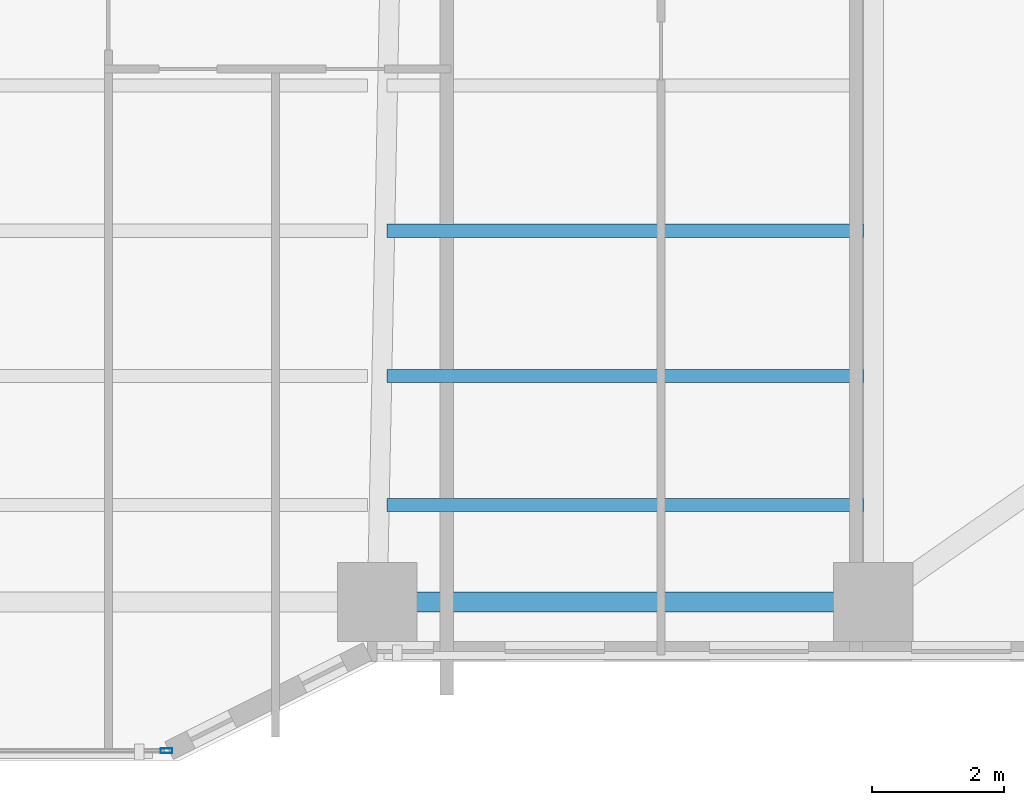
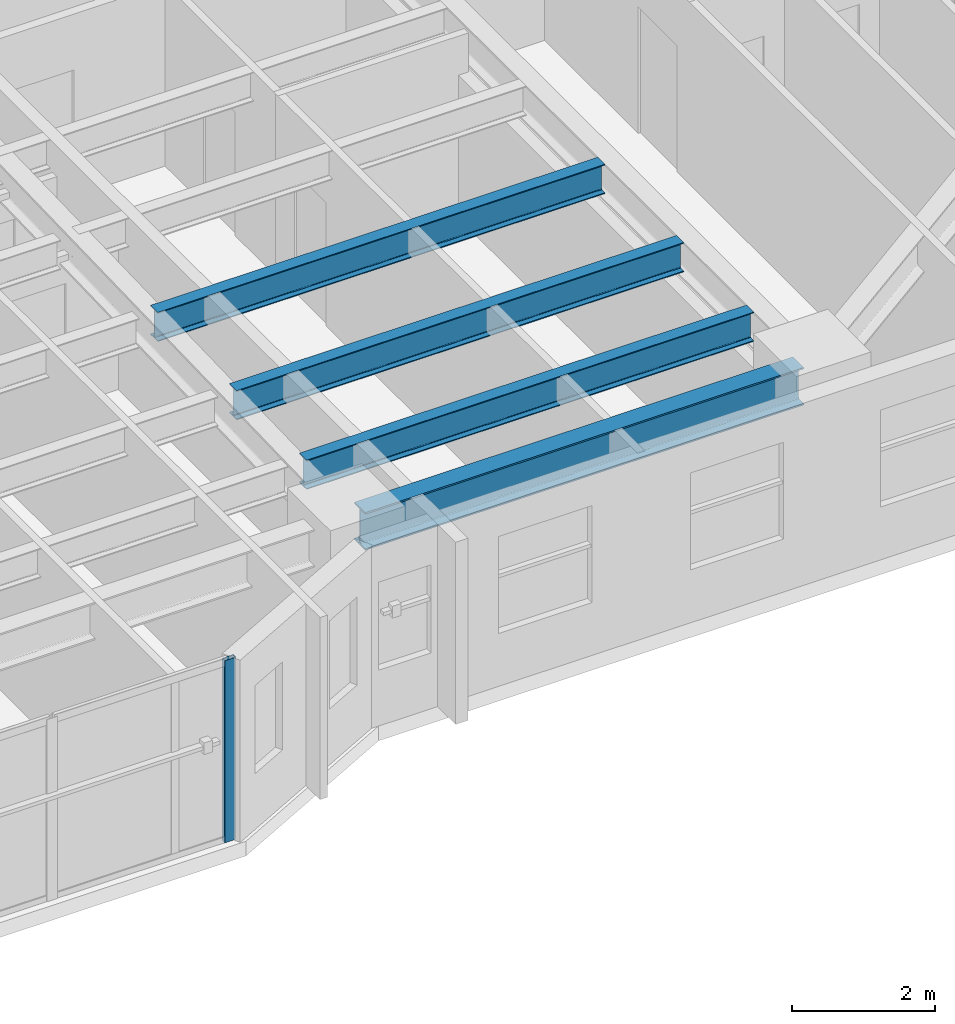
# One storey, part 4 of 22: 4 beams, 1 member, 1 element without a shape of its own.
"""IFC4 building model written with IfcOpenShell, lengths in metres."""

from ifc_helpers import new_model, si_unit, direction, frame, origin, origin_2d, place, context, subcontext, project, spatial, hollow_rectangle, i_section, extrude, material, layer, layer_set, material_profile, profile_set, type_object, element, aggregate, save


model = new_model("IFC4")

# Units and contexts
model_context = context("Model", 3, precision=1e-05, world=origin(), true_north=direction((0.0, 1.0)))
body_context = subcontext(model_context, "Body", "Model", "MODEL_VIEW")
ifc_project = project(units=[si_unit("LENGTHUNIT", "METRE"), si_unit("AREAUNIT", "SQUARE_METRE"), si_unit("VOLUMEUNIT", "CUBIC_METRE"), si_unit("PLANEANGLEUNIT", "RADIAN"), si_unit("MASSUNIT", "GRAM", prefix="KILO")], contexts=[model_context])

# Site, building, storey
site_placement = place(None, origin())
site = spatial("IfcSite", under=ifc_project, at=site_placement, CompositionType="ELEMENT")
building_placement = place(site_placement, origin())
building = spatial("IfcBuilding", under=site, at=building_placement, Name="Tarnavaz Court Tower", CompositionType="ELEMENT")
storey_placement = place(building_placement, frame((0.0, 0.0, 57.5)))
storey = spatial("IfcBuildingStorey", under=building, at=storey_placement, Name="L15", CompositionType="ELEMENT", Elevation=57.5)

# Beams
ifc_material_1 = material(Name="Steel S355", Category="steel")
ifc_material_profile_1 = material_profile(ifc_material_1, i_section(OverallWidth=0.199951171875, OverallDepth=0.5, WebThickness=0.01025390625, FlangeThickness=0.01611328125, FilletRadius=0.02099609375, at=origin_2d()), Name="IPE 500")
ifc_profile_set_1 = profile_set([ifc_material_profile_1], Name="Steel S355")
beam_type_1 = type_object("IfcBeamType", Name="BM-J-IPE500", PredefinedType="JOIST", material=ifc_profile_set_1)
for number, where, z_axis, x_axis, name in (
    (1, (7.64990234375, -17.18798828125, 2.85009765625), (1.0, 0.0, 0.0), (0.0, 1.0, 0.0), "L15 Beam JS3-3"),
    (2, (7.64990234375, -19.384033203125, 2.85009765625), (1.0, 0.0, 0.0), (0.0, 1.0, 0.0), "L15 Beam JS4-3"),
    (3, (7.64990234375, -21.3359375, 2.85009765625), (1.0, 0.0, 0.0), (0.0, 1.0, 0.0), "L15 Beam JS5-3"),
):
    element("IfcBeam", number, at=place(storey_placement, frame(where, z_axis=z_axis, x_axis=x_axis)), inside=storey, type_object=beam_type_1, Name=name, PredefinedType="JOIST", context=body_context, shape_type="SweptSolid", body=[
        extrude(i_section(OverallWidth=0.199951171875, OverallDepth=0.5, WebThickness=0.01025390625, FlangeThickness=0.01611328125, FilletRadius=0.02099609375, at=origin_2d()), origin(), (0.0, 0.0, 1.0), 7.2001953125),
    ])
ifc_material_profile_2 = material_profile(ifc_material_1, i_section(OverallWidth=0.300048828125, OverallDepth=0.639892578125, WebThickness=0.013427734375, FlangeThickness=0.02587890625, FilletRadius=0.027099609375, at=origin_2d()), Name="HEA 650")
ifc_profile_set_2 = profile_set([ifc_material_profile_2], Name="Steel S355")
beam_type_2 = type_object("IfcBeamType", Name="BM-SP-HEA650", PredefinedType="SPANDREL", material=ifc_profile_set_2)
beam_placement = place(storey_placement, frame((7.719970703125, -22.800048828125, 2.780029296875), z_axis=(1.0, 0.0, 0.0), x_axis=(0.0, 1.0, 0.0)))
element("IfcBeam", 4, at=beam_placement, inside=storey, type_object=beam_type_2, Name="L15 Beam PR-PS-3-PS-4", PredefinedType="SPANDREL", context=body_context, shape_type="SweptSolid", body=[
    extrude(i_section(OverallWidth=0.300048828125, OverallDepth=0.639892578125, WebThickness=0.013427734375, FlangeThickness=0.02587890625, FilletRadius=0.027099609375, at=origin_2d()), origin(), (0.0, 0.0, 1.0), 7.06005859375),
])

# Curtain wall, member
ifc_material_2 = material(Name="Anodised Aluminium 6063-T6 and Solar Low-E Glazing", Category="aluminium")
ifc_layer = layer(ifc_material_2, 0.179931640625)
ifc_layer_set = layer_set([ifc_layer], Name="Anodised Aluminium 6063-T6 and Solar Low-E Glazing")
curtain_wall_type = type_object("IfcCurtainWallType", Name="CW-SYS-02", PredefinedType="NOTDEFINED", material=ifc_layer_set)
curtain_wall_placement = place(storey_placement, origin())
curtain_wall = element("IfcCurtainWall", 5, at=curtain_wall_placement, inside=storey, type_object=curtain_wall_type, Name="L15 Iwan Prow Curtain Wall 17", PredefinedType="NOTDEFINED")
ifc_material_3 = material(Name="Anodised Aluminium 6063-T6", Category="aluminium")
ifc_material_profile_3 = material_profile(ifc_material_3, hollow_rectangle(XDim=0.074951171875, YDim=0.179931640625, WallThickness=0.0048828125, InnerFilletRadius=0.0048828125, OuterFilletRadius=0.010009765625, at=origin_2d()), Name="ALU RHS 180X75X5")
ifc_profile_set_3 = profile_set([ifc_material_profile_3], Name="Anodised Aluminium 6063-T6")
member_type = type_object("IfcMemberType", Name="CW-MUL-180", PredefinedType="MULLION", material=ifc_profile_set_3)
member_placement = place(storey_placement, frame((4.3125, -25.050048828125, 0.0), z_axis=(0.0, 0.0, 1.0), x_axis=(0.0, -1.0, 0.0)))
member = element("IfcMember", 6, at=member_placement, type_object=member_type, Name="CW mullion 1", PredefinedType="MULLION", context=body_context, shape_type="SweptSolid", body=[
    extrude(hollow_rectangle(XDim=0.074951171875, YDim=0.179931640625, WallThickness=0.0048828125, InnerFilletRadius=0.0048828125, OuterFilletRadius=0.010009765625, at=origin_2d()), origin(), (0.0, 0.0, 1.0), 3.10009765625),
])
aggregate(curtain_wall, [member])

save(model, "model.ifc")
